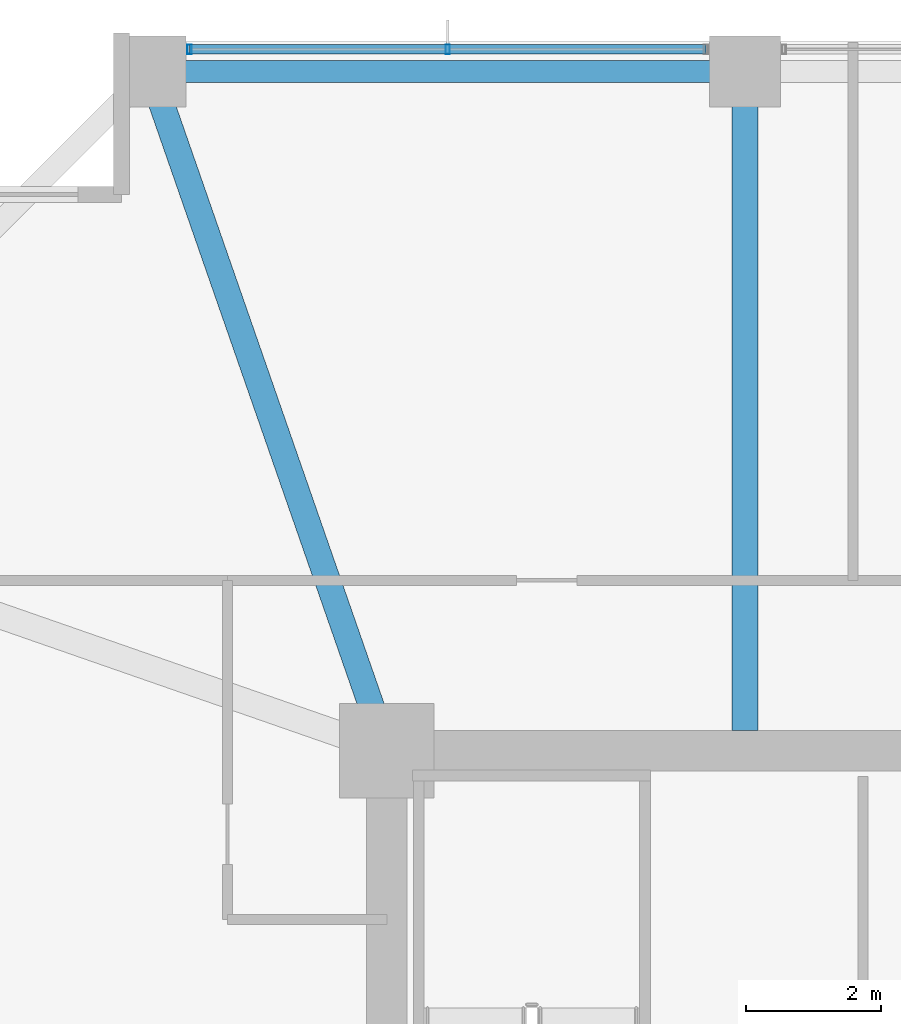
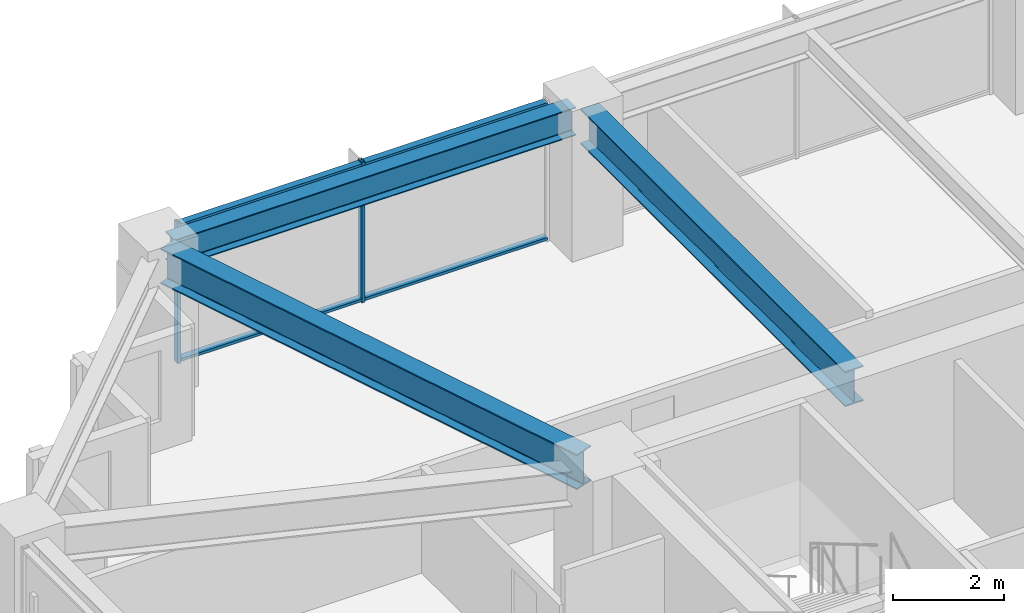
# One storey, part 20 of 36: 4 members, 3 beams, 1 element without a shape of its own.
"""IFC4 building model written with IfcOpenShell, lengths in metres."""

from ifc_helpers import new_model, si_unit, direction, frame, origin, origin_2d, place, context, subcontext, project, spatial, hollow_rectangle, i_section, extrude, material, material_profile, profile_set, type_object, element, aggregate, save


model = new_model("IFC4")

# Units and contexts
model_context = context("Model", 3, precision=1e-05, world=origin(), true_north=direction((0.0, 1.0)))
body_context = subcontext(model_context, "Body", "Model", "MODEL_VIEW")
ifc_project = project(units=[si_unit("LENGTHUNIT", "METRE"), si_unit("AREAUNIT", "SQUARE_METRE"), si_unit("VOLUMEUNIT", "CUBIC_METRE"), si_unit("PLANEANGLEUNIT", "RADIAN"), si_unit("MASSUNIT", "GRAM", prefix="KILO")], contexts=[model_context])

# Site, building, storey
site_placement = place(None, origin())
site = spatial("IfcSite", under=ifc_project, at=site_placement, CompositionType="ELEMENT")
building_placement = place(site_placement, origin())
building = spatial("IfcBuilding", under=site, at=building_placement, Name="Kolvaren Belvedere", CompositionType="ELEMENT")
storey_placement = place(building_placement, frame((0.0, 0.0, 92.0)))
storey = spatial("IfcBuildingStorey", under=building, at=storey_placement, Name="L26", CompositionType="ELEMENT", Elevation=92.0)

# Beams
ifc_material_1 = material(Name="Structural steel ASTM A992 Grade 50", Category="steel")
ifc_material_profile_1 = material_profile(ifc_material_1, i_section(OverallWidth=0.381103515625, OverallDepth=0.77294921875, WebThickness=0.0166015625, FlangeThickness=0.027099609375, FilletRadius=0.02392578125, at=origin_2d()), Name="W30X173")
ifc_profile_set_1 = profile_set([ifc_material_profile_1], Name="Structural steel ASTM A992 Grade 50")
beam_type_1 = type_object("IfcBeamType", Name="BM-GIRD-W30X173", PredefinedType="BEAM", material=ifc_profile_set_1)
beam_1_placement = place(storey_placement, frame((-4.60009765625, 10.199951171875, 2.693603515625), z_axis=(0.0, 1.0, 0.0), x_axis=(-1.0, 0.0, 0.0)))
element("IfcBeam", 1, at=beam_1_placement, inside=storey, type_object=beam_type_1, Name="L26 North Radial Girder M", PredefinedType="BEAM", context=body_context, shape_type="SweptSolid", body=[
    extrude(i_section(OverallWidth=0.381103515625, OverallDepth=0.77294921875, WebThickness=0.0166015625, FlangeThickness=0.027099609375, FilletRadius=0.02392578125, at=origin_2d()), origin(), (0.0, 0.0, 1.0), 9.513916015625),
])
beam_2_placement = place(storey_placement, frame((-10.080810546875, 10.41943359375, 2.693603515625), z_axis=(-0.328880894453, 0.944371408538, 0.0), x_axis=(-0.944371408538, -0.328880894453, 0.0)))
element("IfcBeam", 2, at=beam_2_placement, inside=storey, type_object=beam_type_1, Name="L26 Corner Core-to-Perimeter Girder CC4-N1", PredefinedType="BEAM", context=body_context, shape_type="SweptSolid", body=[
    extrude(i_section(OverallWidth=0.381103515625, OverallDepth=0.77294921875, WebThickness=0.0166015625, FlangeThickness=0.027099609375, FilletRadius=0.02392578125, at=origin_2d()), origin(), (0.0, 0.0, 1.0), 9.882080078125),
])
ifc_material_2 = material(Name="Structural steel ASTM A992 Grade 50", Category="steel")
ifc_material_profile_2 = material_profile(ifc_material_2, i_section(OverallWidth=0.324951171875, OverallDepth=0.615966796875, WebThickness=0.013916015625, FlangeThickness=0.021484375, FilletRadius=0.02001953125, at=origin_2d()), Name="W24X117")
ifc_profile_set_2 = profile_set([ifc_material_profile_2], Name="Structural steel ASTM A992 Grade 50")
beam_type_2 = type_object("IfcBeamType", Name="BM-SPAN-W24X117", PredefinedType="SPANDREL", material=ifc_profile_set_2)
beam_3_placement = place(storey_placement, frame((-4.836181640625, 19.949951171875, 2.77197265625), z_axis=(-1.0, 0.0, 0.0), x_axis=(0.0, -1.0, 0.0)))
element("IfcBeam", 3, at=beam_3_placement, inside=storey, type_object=beam_type_2, Name="L26 Perimeter Spandrel N2-N1", PredefinedType="SPANDREL", context=body_context, shape_type="SweptSolid", body=[
    extrude(i_section(OverallWidth=0.324951171875, OverallDepth=0.615966796875, WebThickness=0.013916015625, FlangeThickness=0.021484375, FilletRadius=0.02001953125, at=origin_2d()), origin(), (0.0, 0.0, 1.0), 8.32763671875),
])

# Curtain wall, members
ifc_material_3 = material(Name="Anodised pale-metal aluminium AA 6063-T6", Category="aluminium")
curtain_wall_type = type_object("IfcCurtainWallType", Name="CW-Z2-MID", PredefinedType="NOTDEFINED", material=ifc_material_3)
curtain_wall_placement = place(storey_placement, origin())
curtain_wall = element("IfcCurtainWall", 4, at=curtain_wall_placement, inside=storey, type_object=curtain_wall_type, Name="L26 Unitised Curtain Wall FCW-L26-N-B1", PredefinedType="NOTDEFINED")
ifc_material_4 = material(Name="Anodised pale-metal aluminium AA 6063-T6", Category="aluminium")
ifc_material_profile_3 = material_profile(ifc_material_4, hollow_rectangle(XDim=0.06494140625, YDim=0.139892578125, WallThickness=0.00390625, at=origin_2d()), Name="ALU-MUL-140X65")
ifc_profile_set_3 = profile_set([ifc_material_profile_3], Name="Anodised pale-metal aluminium AA 6063-T6")
member_type_1 = type_object("IfcMemberType", Name="CW-MUL-140", PredefinedType="MULLION", material=ifc_profile_set_3)
member_1_placement = place(storey_placement, frame((-12.822509765625, 20.280029296875, 0.0), z_axis=(0.0, 0.0, 1.0), x_axis=(1.0, 0.0, 0.0)))
member_1 = element("IfcMember", 5, at=member_1_placement, type_object=member_type_1, Name="FCW-L26-N-B1 Unitised Mullion 1", PredefinedType="MULLION", context=body_context, shape_type="SweptSolid", body=[
    extrude(hollow_rectangle(XDim=0.06494140625, YDim=0.139892578125, WallThickness=0.00390625, at=origin_2d()), origin(), (0.0, 0.0, 1.0), 3.080078125),
])
member_2_placement = place(storey_placement, frame((-9.0, 20.280029296875, 0.0), z_axis=(0.0, 0.0, 1.0), x_axis=(1.0, 0.0, 0.0)))
member_2 = element("IfcMember", 6, at=member_2_placement, type_object=member_type_1, Name="FCW-L26-N-B1 Unitised Mullion 2", PredefinedType="MULLION", context=body_context, shape_type="SweptSolid", body=[
    extrude(hollow_rectangle(XDim=0.06494140625, YDim=0.139892578125, WallThickness=0.00390625, at=origin_2d()), origin(), (0.0, 0.0, 1.0), 3.080078125),
])
ifc_material_5 = material(Name="Anodised pale-metal aluminium AA 6063-T6", Category="aluminium")
ifc_material_profile_4 = material_profile(ifc_material_5, hollow_rectangle(XDim=0.06005859375, YDim=0.139892578125, WallThickness=0.00390625, at=origin_2d()), Name="ALU-TRN-140X60")
ifc_profile_set_4 = profile_set([ifc_material_profile_4], Name="Anodised pale-metal aluminium AA 6063-T6")
member_type_2 = type_object("IfcMemberType", Name="CW-TRN-140", PredefinedType="USERDEFINED", material=ifc_profile_set_4)
member_3_placement = place(storey_placement, frame((-12.822509765625, 20.280029296875, 0.06005859375), z_axis=(1.0, 0.0, 0.0), x_axis=(0.0, 0.0, 1.0)))
member_3 = element("IfcMember", 7, at=member_3_placement, type_object=member_type_2, Name="FCW-L26-N-B1 Sill Transom", ObjectType="TRANSOM", PredefinedType="USERDEFINED", context=body_context, shape_type="SweptSolid", body=[
    extrude(hollow_rectangle(XDim=0.06005859375, YDim=0.139892578125, WallThickness=0.00390625, at=origin_2d()), origin(), (0.0, 0.0, 1.0), 7.64501953125),
])
member_4_placement = place(storey_placement, frame((-12.822509765625, 20.280029296875, 3.02001953125), z_axis=(1.0, 0.0, 0.0), x_axis=(0.0, 0.0, 1.0)))
member_4 = element("IfcMember", 8, at=member_4_placement, type_object=member_type_2, Name="FCW-L26-N-B1 Head Transom", ObjectType="TRANSOM", PredefinedType="USERDEFINED", context=body_context, shape_type="SweptSolid", body=[
    extrude(hollow_rectangle(XDim=0.06005859375, YDim=0.139892578125, WallThickness=0.00390625, at=origin_2d()), origin(), (0.0, 0.0, 1.0), 7.64501953125),
])
aggregate(curtain_wall, [member_1, member_2, member_3, member_4])

save(model, "model.ifc")
